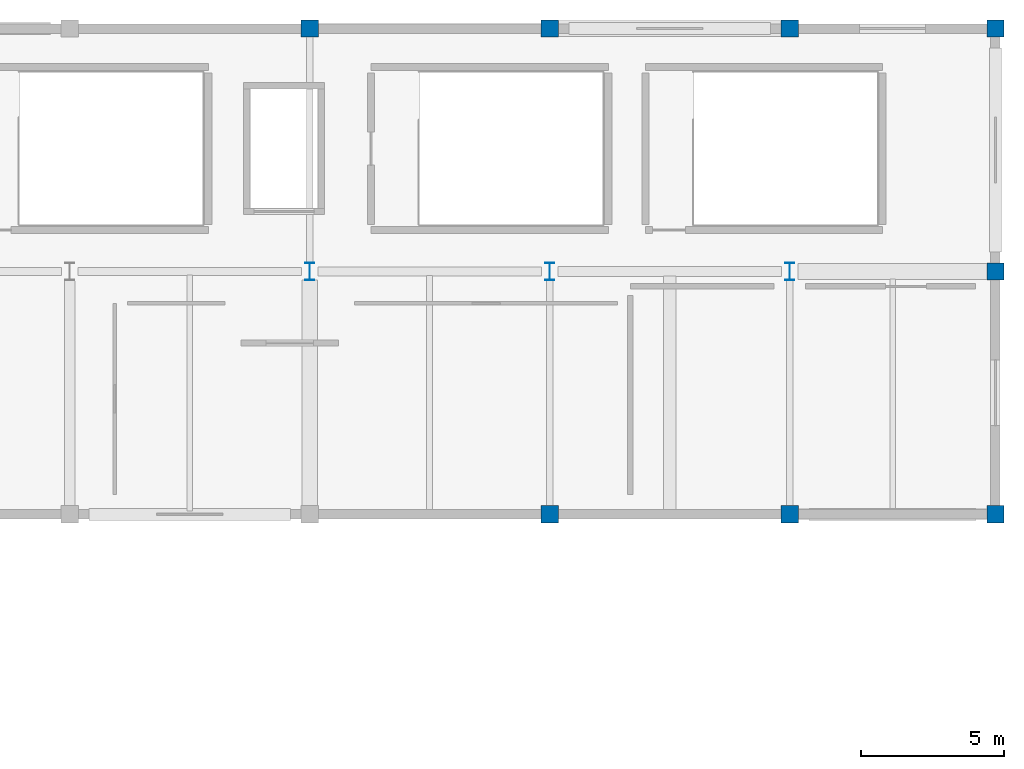
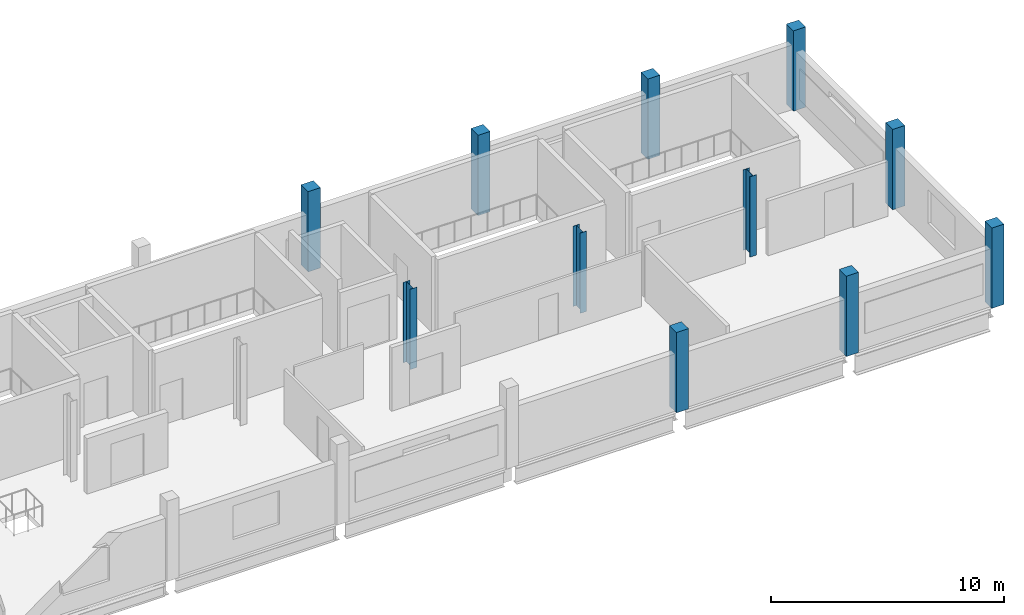
# One storey, part 2 of 13: 11 columns.
"""IFC4 building model written with IfcOpenShell, lengths in metres."""

from ifc_helpers import new_model, si_unit, direction, frame, origin, origin_2d, place, context, subcontext, project, spatial, rectangle, i_section, extrude, material, material_profile, profile_set, type_object, element, save


model = new_model("IFC4")

# Units and contexts
model_context = context("Model", 3, precision=1e-05, world=origin(), true_north=direction((0.0, 1.0)))
body_context = subcontext(model_context, "Body", "Model", "MODEL_VIEW")
ifc_project = project(units=[si_unit("LENGTHUNIT", "METRE"), si_unit("AREAUNIT", "SQUARE_METRE"), si_unit("VOLUMEUNIT", "CUBIC_METRE"), si_unit("PLANEANGLEUNIT", "RADIAN"), si_unit("MASSUNIT", "GRAM", prefix="KILO")], contexts=[model_context])

# Site, building, storey
site_placement = place(None, origin())
site = spatial("IfcSite", under=ifc_project, at=site_placement, CompositionType="ELEMENT")
building_placement = place(site_placement, origin())
building = spatial("IfcBuilding", under=site, at=building_placement, Name="Solvento Point Concert Hall", CompositionType="ELEMENT")
storey_placement = place(building_placement, frame((0.0, 0.0, 23.699951171875)))
storey = spatial("IfcBuildingStorey", under=building, at=storey_placement, Name="L05", CompositionType="ELEMENT", Elevation=23.699951171875)

# Columns
ifc_material_1 = material(Name="Concrete C40/50", Category="concrete")
ifc_material_profile_1 = material_profile(ifc_material_1, rectangle(XDim=0.60009765625, YDim=0.60009765625, at=origin_2d()), Name="RC-COL-600X600")
ifc_profile_set_1 = profile_set([ifc_material_profile_1], Name="Concrete C40/50")
column_type_1 = type_object("IfcColumnType", Name="Col_RC_600", PredefinedType="COLUMN", material=ifc_profile_set_1)
for number, where, z_axis, x_axis, name in (
    (1, (192.0, 136.0, 0.0), (0.0, 0.0, 1.0), (1.0, 0.0, 0.0), "Column C-88 24/S L05"),
    (2, (200.39990234375, 119.0, 0.0), (0.0, 0.0, 1.0), (1.0, 0.0, 0.0), "Column C-88 25/Q L05"),
    (3, (200.39990234375, 136.0, 0.0), (0.0, 0.0, 1.0), (1.0, 0.0, 0.0), "Column C-88 25/S L05"),
    (4, (208.800048828125, 119.0, 0.0), (0.0, 0.0, 1.0), (1.0, 0.0, 0.0), "Column C-88 26/Q L05"),
    (5, (208.800048828125, 136.0, 0.0), (0.0, 0.0, 1.0), (1.0, 0.0, 0.0), "Column C-88 26/S L05"),
    (6, (216.0, 119.0, 0.0), (0.0, 0.0, 1.0), (1.0, 0.0, 0.0), "Column C-88 27/Q L05"),
    (7, (216.0, 127.5, 0.0), (0.0, 0.0, 1.0), (1.0, 0.0, 0.0), "Column C-88 27/R L05"),
    (8, (216.0, 136.0, 0.0), (0.0, 0.0, 1.0), (1.0, 0.0, 0.0), "Column C-88 27/S L05"),
):
    element("IfcColumn", number, at=place(storey_placement, frame(where, z_axis=z_axis, x_axis=x_axis)), inside=storey, type_object=column_type_1, Name=name, PredefinedType="COLUMN", context=body_context, shape_type="SweptSolid", body=[
        extrude(rectangle(XDim=0.60009765625, YDim=0.60009765625, at=origin_2d()), origin(), (0.0, 0.0, 1.0), 4.199951171875),
    ])
ifc_material_2 = material(Name="Structural Steel ASTM A992 Grade 50", Category="steel")
ifc_material_profile_2 = material_profile(ifc_material_2, i_section(OverallWidth=0.323974609375, OverallDepth=0.611083984375, WebThickness=0.0126953125, FlangeThickness=0.01904296875, at=origin_2d()), Name="W24X104")
ifc_profile_set_2 = profile_set([ifc_material_profile_2], Name="Structural Steel ASTM A992 Grade 50")
column_type_2 = type_object("IfcColumnType", Name="Col_Steel_W24X104", PredefinedType="COLUMN", material=ifc_profile_set_2)
for number, where, z_axis, x_axis, name in (
    (9, (192.0, 127.5, 0.0), (0.0, 0.0, 1.0), (1.0, 0.0, 0.0), "Column C-45 24/R L05"),
    (10, (200.39990234375, 127.5, 0.0), (0.0, 0.0, 1.0), (1.0, 0.0, 0.0), "Column C-45 25/R L05"),
    (11, (208.800048828125, 127.5, 0.0), (0.0, 0.0, 1.0), (1.0, 0.0, 0.0), "Column C-45 26/R L05"),
):
    element("IfcColumn", number, at=place(storey_placement, frame(where, z_axis=z_axis, x_axis=x_axis)), inside=storey, type_object=column_type_2, Name=name, PredefinedType="COLUMN", context=body_context, shape_type="SweptSolid", body=[
        extrude(i_section(OverallWidth=0.323974609375, OverallDepth=0.611083984375, WebThickness=0.0126953125, FlangeThickness=0.01904296875, at=origin_2d()), origin(), (0.0, 0.0, 1.0), 4.199951171875),
    ])

save(model, "model.ifc")
